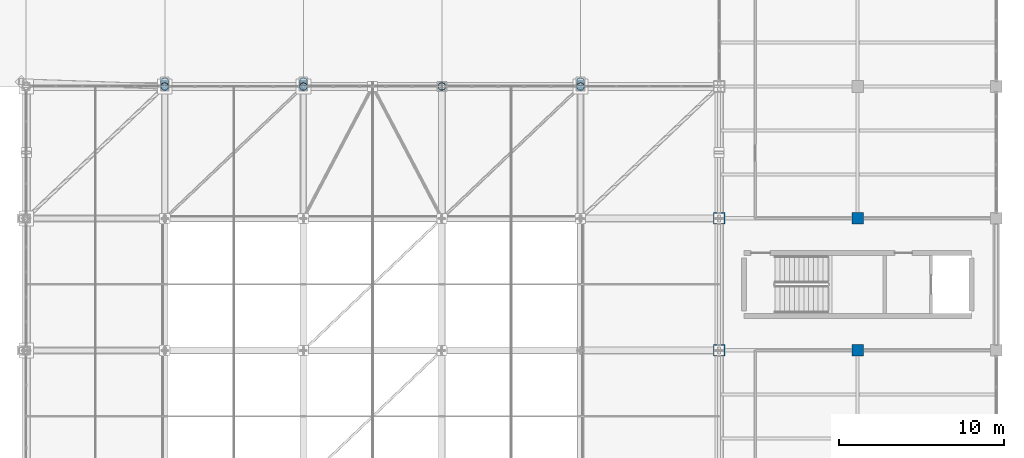
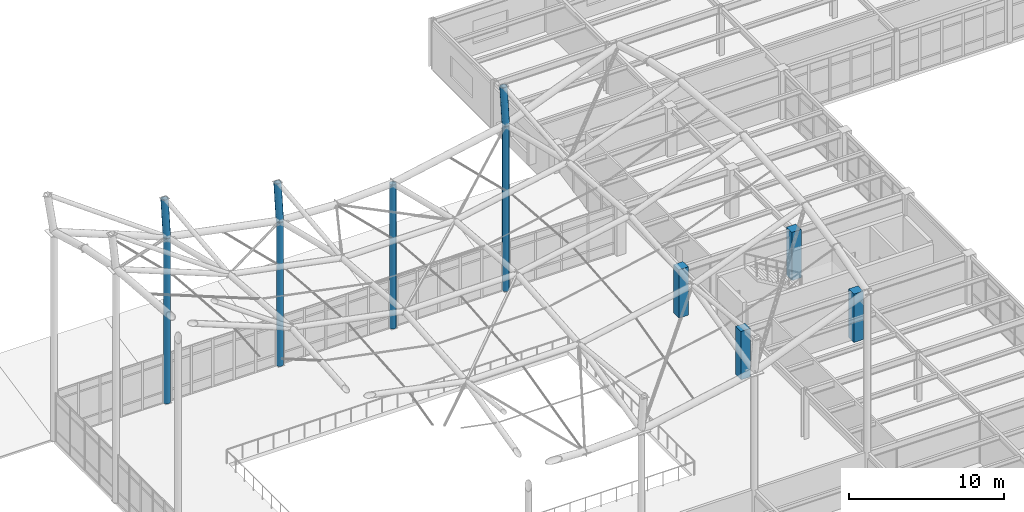
# One storey, part 13 of 138: 11 columns.
"""IFC4 building model written with IfcOpenShell, lengths in metres."""

from ifc_helpers import new_model, si_unit, direction, frame, origin, origin_2d, place, context, subcontext, project, spatial, rectangle, hollow_circle, extrude, material, material_profile, profile_set, type_object, element, save


model = new_model("IFC4")

# Units and contexts
model_context = context("Model", 3, precision=1e-05, world=origin(), true_north=direction((0.0, 1.0)))
body_context = subcontext(model_context, "Body", "Model", "MODEL_VIEW")
ifc_project = project(units=[si_unit("LENGTHUNIT", "METRE"), si_unit("AREAUNIT", "SQUARE_METRE"), si_unit("VOLUMEUNIT", "CUBIC_METRE"), si_unit("PLANEANGLEUNIT", "RADIAN"), si_unit("MASSUNIT", "GRAM", prefix="KILO")], contexts=[model_context])

# Site, building, storey
site_placement = place(None, origin())
site = spatial("IfcSite", under=ifc_project, at=site_placement, CompositionType="ELEMENT")
building_placement = place(site_placement, origin())
building = spatial("IfcBuilding", under=site, at=building_placement, Name="Kranzveld Transit Interchange", CompositionType="ELEMENT")
storey_placement = place(building_placement, frame((0.0, 0.0, 5.43994140625)))
storey = spatial("IfcBuildingStorey", under=building, at=storey_placement, Name="L01", CompositionType="ELEMENT", Elevation=5.43994140625)

# Columns
ifc_material_1 = material(Name="Concrete C35/45", Category="concrete")
ifc_material_profile_1 = material_profile(ifc_material_1, rectangle(XDim=0.699951171875, YDim=0.699951171875, at=origin_2d()), Name="RC 700x700")
ifc_profile_set_1 = profile_set([ifc_material_profile_1], Name="Concrete C35/45")
column_type_1 = type_object("IfcColumnType", Name="Column RC 700x700 C35/45", PredefinedType="COLUMN", material=ifc_profile_set_1)
for number, where, z_axis, x_axis, name in (
    (1, (100.800048828125, 72.0, 0.0), (0.0, 0.0, 1.0), (1.0, 0.0, 0.0), "L01 Column 13/K"),
    (2, (100.800048828125, 80.0, 0.0), (0.0, 0.0, 1.0), (1.0, 0.0, 0.0), "L01 Column 13/L"),
    (3, (109.199951171875, 72.0, 0.0), (0.0, 0.0, 1.0), (1.0, 0.0, 0.0), "L01 Column 14/K"),
    (4, (109.199951171875, 80.0, 0.0), (0.0, 0.0, 1.0), (1.0, 0.0, 0.0), "L01 Column 14/L"),
):
    element("IfcColumn", number, at=place(storey_placement, frame(where, z_axis=z_axis, x_axis=x_axis)), inside=storey, type_object=column_type_1, Name=name, PredefinedType="COLUMN", context=body_context, shape_type="SweptSolid", body=[
        extrude(rectangle(XDim=0.699951171875, YDim=0.699951171875, at=origin_2d()), origin(), (0.0, 0.0, 1.0), 3.800048828125),
    ])
ifc_material_2 = material(Name="Steel S355JR", Category="steel")
ifc_material_profile_2 = material_profile(ifc_material_2, hollow_circle(Radius=0.228515625, WallThickness=0.01611328125, at=origin_2d()), Name="CHS 457x16")
ifc_profile_set_2 = profile_set([ifc_material_profile_2], Name="Steel S355JR")
column_type_2 = type_object("IfcColumnType", Name="Concourse Column CHS 457x16 S355JR", PredefinedType="COLUMN", material=ifc_profile_set_2)
column_1_placement = place(storey_placement, frame((67.199951171875, 88.0, 0.0), z_axis=(0.0, 0.0, 1.0), x_axis=(1.0, 0.0, 0.0)))
element("IfcColumn", 5, at=column_1_placement, inside=storey, type_object=column_type_2, Name="L01 Column 09/M", PredefinedType="COLUMN", context=body_context, shape_type="SweptSolid", body=[
    extrude(hollow_circle(Radius=0.228515625, WallThickness=0.01611328125, at=origin_2d()), origin(), (0.0, 0.0, 1.0), 12.9521484375),
])
column_2_placement = place(storey_placement, frame((75.60009765625, 88.0, 0.0), z_axis=(0.0, 0.0, 1.0), x_axis=(1.0, 0.0, 0.0)))
element("IfcColumn", 6, at=column_2_placement, inside=storey, type_object=column_type_2, Name="L01 Column 10/M", PredefinedType="COLUMN", context=body_context, shape_type="SweptSolid", body=[
    extrude(hollow_circle(Radius=0.228515625, WallThickness=0.01611328125, at=origin_2d()), origin(), (0.0, 0.0, 1.0), 11.2880859375),
])
column_3_placement = place(storey_placement, frame((84.0, 88.0, 0.0), z_axis=(0.0, 0.0, 1.0), x_axis=(1.0, 0.0, 0.0)))
element("IfcColumn", 7, at=column_3_placement, inside=storey, type_object=column_type_2, Name="L01 Column 11/M", PredefinedType="COLUMN", context=body_context, shape_type="SweptSolid", body=[
    extrude(hollow_circle(Radius=0.228515625, WallThickness=0.01611328125, at=origin_2d()), origin(), (0.0, 0.0, 1.0), 11.318115234375),
])
column_4_placement = place(storey_placement, frame((92.39990234375, 88.0, 0.0), z_axis=(0.0, 0.0, 1.0), x_axis=(1.0, 0.0, 0.0)))
element("IfcColumn", 8, at=column_4_placement, inside=storey, type_object=column_type_2, Name="L01 Column 12/M", PredefinedType="COLUMN", context=body_context, shape_type="SweptSolid", body=[
    extrude(hollow_circle(Radius=0.228515625, WallThickness=0.01611328125, at=origin_2d()), origin(), (0.0, 0.0, 1.0), 12.9521484375),
])
ifc_material_3 = material(Name="Steel S355JR", Category="steel")
ifc_material_profile_3 = material_profile(ifc_material_3, hollow_circle(Radius=0.25390625, WallThickness=0.02001953125, at=origin_2d()), Name="CHS 508x20")
ifc_profile_set_3 = profile_set([ifc_material_profile_3], Name="Steel S355JR")
column_type_3 = type_object("IfcColumnType", Name="Saddle Mast Steel CHS 508x20 S355JR", PredefinedType="COLUMN", material=ifc_profile_set_3)
column_5_placement = place(storey_placement, frame((67.199951171875, 88.0, 13.001953125), z_axis=(0.0, 0.105430502232, 0.994426673616), x_axis=(-1.0, 0.0, 0.0)))
element("IfcColumn", 9, at=column_5_placement, inside=storey, type_object=column_type_3, Name="Saddle Roof Mast M10 (09/M)", PredefinedType="COLUMN", context=body_context, shape_type="SweptSolid", body=[
    extrude(hollow_circle(Radius=0.25390625, WallThickness=0.02001953125, at=origin_2d()), origin(), (0.0, 0.0, 1.0), 2.845947265625),
])
column_6_placement = place(storey_placement, frame((75.60009765625, 88.0, 11.338134765625), z_axis=(0.0, 0.105439497006, 0.994425719936), x_axis=(-1.0, 0.0, 0.0)))
element("IfcColumn", 10, at=column_6_placement, inside=storey, type_object=column_type_3, Name="Saddle Roof Mast M11 (10/M)", PredefinedType="COLUMN", context=body_context, shape_type="SweptSolid", body=[
    extrude(hollow_circle(Radius=0.25390625, WallThickness=0.02001953125, at=origin_2d()), origin(), (0.0, 0.0, 1.0), 2.845703125),
])
column_7_placement = place(storey_placement, frame((92.39990234375, 88.0, 13.001953125), z_axis=(0.0, 0.105430502232, 0.994426673616), x_axis=(-1.0, 0.0, 0.0)))
element("IfcColumn", 11, at=column_7_placement, inside=storey, type_object=column_type_3, Name="Saddle Roof Mast M12 (12/M)", PredefinedType="COLUMN", context=body_context, shape_type="SweptSolid", body=[
    extrude(hollow_circle(Radius=0.25390625, WallThickness=0.02001953125, at=origin_2d()), origin(), (0.0, 0.0, 1.0), 2.845947265625),
])

save(model, "model.ifc")
